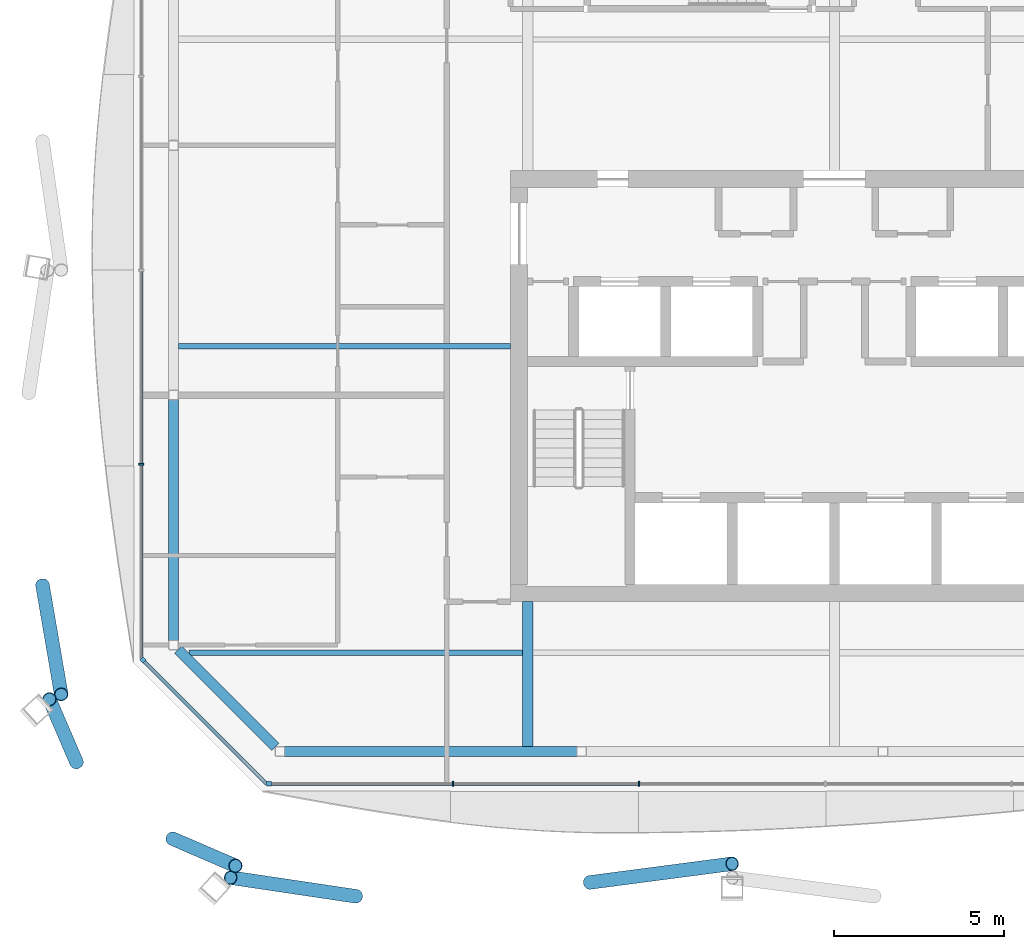
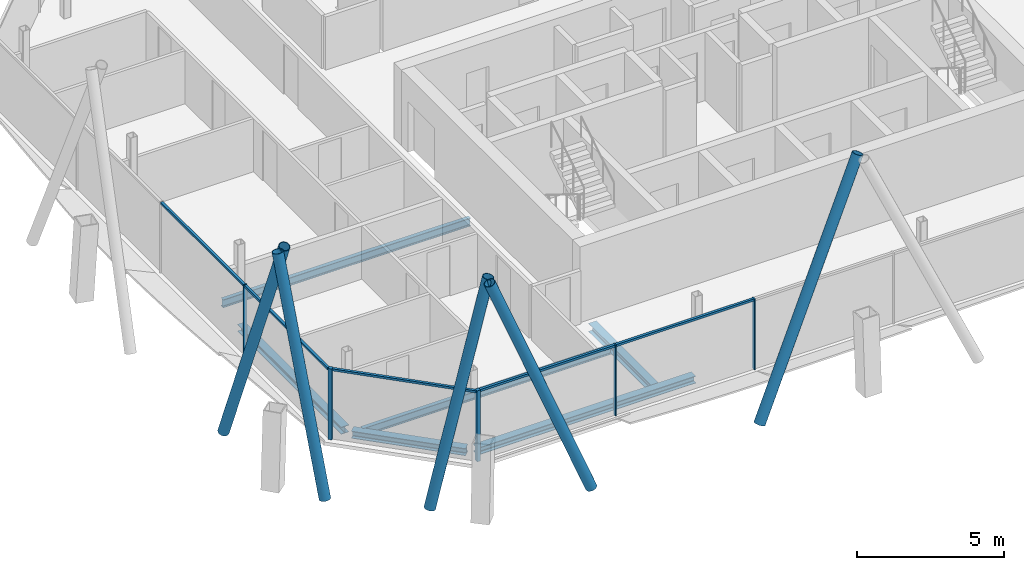
# One storey, part 3 of 16: 15 members, 6 beams, 3 elements without a shape of their own.
"""IFC4 building model written with IfcOpenShell, lengths in metres."""

from ifc_helpers import new_model, si_unit, direction, frame, origin, origin_2d, place, context, subcontext, project, spatial, rectangle, hollow_circle, i_section, extrude, material, material_profile, profile_set, type_object, element, aggregate, save


model = new_model("IFC4")

# Units and contexts
model_context = context("Model", 3, precision=1e-05, world=origin(), true_north=direction((0.0, 1.0)))
body_context = subcontext(model_context, "Body", "Model", "MODEL_VIEW")
ifc_project = project(units=[si_unit("LENGTHUNIT", "METRE"), si_unit("AREAUNIT", "SQUARE_METRE"), si_unit("VOLUMEUNIT", "CUBIC_METRE"), si_unit("PLANEANGLEUNIT", "RADIAN"), si_unit("MASSUNIT", "GRAM", prefix="KILO")], contexts=[model_context])

# Site, building, storey
site_placement = place(None, origin())
site = spatial("IfcSite", under=ifc_project, at=site_placement, CompositionType="ELEMENT")
building_placement = place(site_placement, origin())
building = spatial("IfcBuilding", under=site, at=building_placement, Name="Tskaro Facet Tower", CompositionType="ELEMENT")
storey_placement = place(building_placement, frame((0.0, 0.0, 245.550048828125)))
storey = spatial("IfcBuildingStorey", under=building, at=storey_placement, Name="L64", CompositionType="ELEMENT", Elevation=245.550048828125)

# Members
ifc_material_1 = material(Name="Steel S355J2H", Category="steel")
ifc_material_profile_1 = material_profile(ifc_material_1, hollow_circle(Radius=0.203125, WallThickness=0.02001953125, at=origin_2d()), Name="CHS 406.4x20")
ifc_profile_set_1 = profile_set([ifc_material_profile_1], Name="Steel S355J2H")
member_type_1 = type_object("IfcMemberType", Name="CHS 406.4x20 brace", PredefinedType="BRACE", material=ifc_profile_set_1)
member_1_placement = place(storey_placement, frame((-7.179931640625, -20.23779296875, 0.0), z_axis=(0.403949934289, 0.052968144529, 0.913246311929), x_axis=(-0.130012570292, 0.991512345645, 0.0)))
element("IfcMember", 1, at=member_1_placement, inside=storey, type_object=member_type_1, Name="CHS 406.4x20 XB01A/5", PredefinedType="BRACE", context=body_context, shape_type="SweptSolid", body=[
    extrude(hollow_circle(Radius=0.203125, WallThickness=0.02001953125, at=origin_2d()), origin(), (0.0, 0.0, 1.0), 10.34765625),
])
member_2_placement = place(storey_placement, frame((-14.039306640625, -20.644287109375, 0.0), z_axis=(-0.362320562479, 0.053968263188, 0.930489783165), x_axis=(-0.14732632863, -0.989087939919, 0.0)))
element("IfcMember", 2, at=member_2_placement, inside=storey, type_object=member_type_1, Name="CHS 406.4x20 XB01B/5", PredefinedType="BRACE", context=body_context, shape_type="SweptSolid", body=[
    extrude(hollow_circle(Radius=0.203125, WallThickness=0.02001953125, at=origin_2d()), origin(), (0.0, 0.0, 1.0), 10.156005859375),
])
member_3_placement = place(storey_placement, frame((-23.23779296875, -11.517578125, 0.0), z_axis=(0.054850435244, -0.320380292811, 0.945699686863), x_axis=(0.985659069558, 0.168748921769, 0.0)))
element("IfcMember", 3, at=member_3_placement, inside=storey, type_object=member_type_1, Name="CHS 406.4x20 XB11A/5", PredefinedType="BRACE", context=body_context, shape_type="SweptSolid", body=[
    extrude(hollow_circle(Radius=0.203125, WallThickness=0.02001953125, at=origin_2d()), origin(), (0.0, 0.0, 1.0), 9.992431640625),
])
for number, where, z_axis, x_axis, name in (
    (4, (-19.416748046875, -18.9560546875, 0.0), (0.190630309966, -0.082110284645, 0.978221849111), (0.395593875479, 0.918425547164, 0.0), "CHS 406.4x20 XB12A/5"),
    (5, (-22.243408203125, -16.7041015625, 0.0), (-0.082110680205, 0.19060595571, 0.978226561612), (-0.918406489406, -0.395638117751, 0.0), "CHS 406.4x20 XB12B/5"),
):
    element("IfcMember", number, at=place(storey_placement, frame(where, z_axis=z_axis, x_axis=x_axis)), inside=storey, type_object=member_type_1, Name=name, PredefinedType="BRACE", context=body_context, shape_type="SweptSolid", body=[
        extrude(hollow_circle(Radius=0.203125, WallThickness=0.02001953125, at=origin_2d()), origin(), (0.0, 0.0, 1.0), 9.660400390625),
    ])

# Curtain wall, member
ifc_material_2 = material(Name="Bronze anodised aluminium 6063-T6", Category="aluminium")
curtain_wall_type = type_object("IfcCurtainWallType", Name="Bronze residence curtain wall (FW3)", PredefinedType="NOTDEFINED", material=ifc_material_2)
curtain_wall_1_placement = place(storey_placement, origin())
curtain_wall_1 = element("IfcCurtainWall", 6, at=curtain_wall_1_placement, inside=storey, type_object=curtain_wall_type, Name="FW3 south facet L64", PredefinedType="NOTDEFINED")
ifc_material_profile_2 = material_profile(ifc_material_2, rectangle(XDim=0.139892578125, YDim=0.139892578125, at=origin_2d()), Name="Corner post 140x140")
ifc_profile_set_2 = profile_set([ifc_material_profile_2], Name="Bronze anodised aluminium 6063-T6")
member_type_2 = type_object("IfcMemberType", Name="FW3 bronze corner post 140x140", PredefinedType="MULLION", material=ifc_profile_set_2)
member_4_placement = place(storey_placement, frame((-16.591064453125, -17.341064453125, 0.0), z_axis=(0.0, 0.0, 1.0), x_axis=(1.0, 0.0, 0.0)))
member_4 = element("IfcMember", 7, at=member_4_placement, type_object=member_type_2, Name="FW3 south corner post", PredefinedType="MULLION", context=body_context, shape_type="SweptSolid", body=[
    extrude(rectangle(XDim=0.139892578125, YDim=0.139892578125, at=origin_2d()), origin(), (0.0, 0.0, 1.0), 2.949951171875),
])

curtain_wall_2_placement = place(storey_placement, origin())
curtain_wall_2 = element("IfcCurtainWall", 8, at=curtain_wall_2_placement, inside=storey, type_object=curtain_wall_type, Name="FW3 south-west facet L64", PredefinedType="NOTDEFINED")
member_5_placement = place(storey_placement, frame((-20.29150390625, -13.71044921875, 0.0), z_axis=(0.0, 0.0, 1.0), x_axis=(0.707106781187, -0.707106781187, 0.0)))
member_5 = element("IfcMember", 9, at=member_5_placement, type_object=member_type_2, Name="FW3 south-west corner post", PredefinedType="MULLION", context=body_context, shape_type="SweptSolid", body=[
    extrude(rectangle(XDim=0.139892578125, YDim=0.139892578125, at=origin_2d()), origin(), (0.0, 0.0, 1.0), 2.949951171875),
])

# Member
ifc_material_profile_3 = material_profile(ifc_material_2, rectangle(XDim=0.050048828125, YDim=0.139892578125, at=origin_2d()), Name="Mullion 50x140")
ifc_profile_set_3 = profile_set([ifc_material_profile_3], Name="Bronze anodised aluminium 6063-T6")
member_type_3 = type_object("IfcMemberType", Name="FW3 bronze mullion 50x140", PredefinedType="MULLION", material=ifc_profile_set_3)
member_6_placement = place(storey_placement, frame((-11.196533203125, -17.341064453125, 0.0), z_axis=(0.0, 0.0, 1.0), x_axis=(1.0, 0.0, 0.0)))
member_6 = element("IfcMember", 10, at=member_6_placement, type_object=member_type_3, Name="FW3 south mullion 1", PredefinedType="MULLION", context=body_context, shape_type="SweptSolid", body=[
    extrude(rectangle(XDim=0.050048828125, YDim=0.139892578125, at=origin_2d()), origin(), (0.0, 0.0, 1.0), 2.949951171875),
])

member_7_placement = place(storey_placement, frame((-5.732177734375, -17.341064453125, 0.0), z_axis=(0.0, 0.0, 1.0), x_axis=(1.0, 0.0, 0.0)))
member_7 = element("IfcMember", 11, at=member_7_placement, type_object=member_type_3, Name="FW3 south mullion 2", PredefinedType="MULLION", context=body_context, shape_type="SweptSolid", body=[
    extrude(rectangle(XDim=0.050048828125, YDim=0.139892578125, at=origin_2d()), origin(), (0.0, 0.0, 1.0), 2.949951171875),
])

# Curtain wall, member
curtain_wall_3_placement = place(storey_placement, origin())
curtain_wall_3 = element("IfcCurtainWall", 12, at=curtain_wall_3_placement, inside=storey, type_object=curtain_wall_type, Name="FW3 west facet L64", PredefinedType="NOTDEFINED")
member_8_placement = place(storey_placement, frame((-20.341064453125, -7.96630859375, 0.0), z_axis=(0.0, 0.0, 1.0), x_axis=(0.0, -1.0, 0.0)))
member_8 = element("IfcMember", 13, at=member_8_placement, type_object=member_type_3, Name="FW3 west mullion 3", PredefinedType="MULLION", context=body_context, shape_type="SweptSolid", body=[
    extrude(rectangle(XDim=0.050048828125, YDim=0.139892578125, at=origin_2d()), origin(), (0.0, 0.0, 1.0), 2.949951171875),
])

# Member
ifc_material_profile_4 = material_profile(ifc_material_2, rectangle(XDim=0.10009765625, YDim=0.090087890625, at=origin_2d()), Name="Transom 100x90")
ifc_profile_set_4 = profile_set([ifc_material_profile_4], Name="Bronze anodised aluminium 6063-T6")
member_type_4 = type_object("IfcMemberType", Name="FW3 bronze transom 100x90", PredefinedType="USERDEFINED", material=ifc_profile_set_4)
member_9_placement = place(storey_placement, frame((-16.52099609375, -17.341064453125, 2.905029296875), z_axis=(1.0, 0.0, 0.0), x_axis=(0.0, 1.0, 0.0)))
member_9 = element("IfcMember", 14, at=member_9_placement, type_object=member_type_4, Name="FW3 south transom 1.1", ObjectType="TRANSOM", PredefinedType="USERDEFINED", context=body_context, shape_type="SweptSolid", body=[
    extrude(rectangle(XDim=0.10009765625, YDim=0.090087890625, at=origin_2d()), origin(), (0.0, 0.0, 1.0), 5.29931640625),
])

member_10_placement = place(storey_placement, frame((-11.171630859375, -17.341064453125, 2.905029296875), z_axis=(1.0, 0.0, 0.0), x_axis=(0.0, 1.0, 0.0)))
member_10 = element("IfcMember", 15, at=member_10_placement, type_object=member_type_4, Name="FW3 south transom 2.1", ObjectType="TRANSOM", PredefinedType="USERDEFINED", context=body_context, shape_type="SweptSolid", body=[
    extrude(rectangle(XDim=0.10009765625, YDim=0.090087890625, at=origin_2d()), origin(), (0.0, 0.0, 1.0), 5.41455078125),
])

aggregate(curtain_wall_1, [member_4, member_6, member_7, member_9, member_10])

member_11_placement = place(storey_placement, frame((-20.341064453125, -2.29638671875, 2.905029296875), z_axis=(0.0, -1.0, 0.0), x_axis=(1.0, 0.0, 0.0)))
member_11 = element("IfcMember", 16, at=member_11_placement, type_object=member_type_4, Name="FW3 west transom 3.1", ObjectType="TRANSOM", PredefinedType="USERDEFINED", context=body_context, shape_type="SweptSolid", body=[
    extrude(rectangle(XDim=0.10009765625, YDim=0.090087890625, at=origin_2d()), origin(), (0.0, 0.0, 1.0), 5.644775390625),
])

member_12_placement = place(storey_placement, frame((-20.341064453125, -7.9912109375, 2.905029296875), z_axis=(0.0, -1.0, 0.0), x_axis=(1.0, 0.0, 0.0)))
member_12 = element("IfcMember", 17, at=member_12_placement, type_object=member_type_4, Name="FW3 west transom 4.1", ObjectType="TRANSOM", PredefinedType="USERDEFINED", context=body_context, shape_type="SweptSolid", body=[
    extrude(rectangle(XDim=0.10009765625, YDim=0.090087890625, at=origin_2d()), origin(), (0.0, 0.0, 1.0), 5.669677734375),
])

aggregate(curtain_wall_3, [member_8, member_11, member_12])

member_13_placement = place(storey_placement, frame((-20.241943359375, -13.760009765625, 2.905029296875), z_axis=(0.707106781187, -0.707106781187, 0.0), x_axis=(0.707106781187, 0.707106781187, 0.0)))
member_13 = element("IfcMember", 18, at=member_13_placement, type_object=member_type_4, Name="FW3 south-west transom 1.1", ObjectType="TRANSOM", PredefinedType="USERDEFINED", context=body_context, shape_type="SweptSolid", body=[
    extrude(rectangle(XDim=0.10009765625, YDim=0.090087890625, at=origin_2d()), origin(), (0.0, 0.0, 1.0), 5.064453125),
])

aggregate(curtain_wall_2, [member_5, member_13])

# Beams
ifc_material_3 = material(Name="Steel S355J2", Category="steel")
ifc_material_profile_5 = material_profile(ifc_material_3, i_section(OverallWidth=0.300048828125, OverallDepth=0.300048828125, WebThickness=0.010986328125, FlangeThickness=0.01904296875, FilletRadius=0.027099609375, at=origin_2d()), Name="HE 300 B")
ifc_profile_set_5 = profile_set([ifc_material_profile_5], Name="Steel S355J2")
beam_type_1 = type_object("IfcBeamType", Name="HE 300 B ring beam", PredefinedType="BEAM", material=ifc_profile_set_5)
beam_1_placement = place(storey_placement, frame((-16.137939453125, -16.39111328125, -0.2900390625), z_axis=(1.0, 0.0, 0.0), x_axis=(0.0, 1.0, 0.0)))
element("IfcBeam", 19, at=beam_1_placement, inside=storey, type_object=beam_type_1, Name="HE 300 B EB1-5", PredefinedType="BEAM", context=body_context, shape_type="SweptSolid", body=[
    extrude(i_section(OverallWidth=0.300048828125, OverallDepth=0.300048828125, WebThickness=0.010986328125, FlangeThickness=0.01904296875, FilletRadius=0.027099609375, at=origin_2d()), origin(), (0.0, 0.0, 1.0), 8.5849609375),
])
beam_2_placement = place(storey_placement, frame((-19.39111328125, -6.06689453125, -0.2900390625), z_axis=(0.0, -1.0, 0.0), x_axis=(1.0, 0.0, 0.0)))
element("IfcBeam", 20, at=beam_2_placement, inside=storey, type_object=beam_type_1, Name="HE 300 B EB16-5", PredefinedType="BEAM", context=body_context, shape_type="SweptSolid", body=[
    extrude(i_section(OverallWidth=0.300048828125, OverallDepth=0.300048828125, WebThickness=0.010986328125, FlangeThickness=0.01904296875, FilletRadius=0.027099609375, at=origin_2d()), origin(), (0.0, 0.0, 1.0), 7.071044921875),
])
beam_3_placement = place(storey_placement, frame((-19.255126953125, -13.40380859375, -0.2900390625), z_axis=(0.707106781187, -0.707106781187, 0.0), x_axis=(0.707106781187, 0.707106781187, 0.0)))
element("IfcBeam", 21, at=beam_3_placement, inside=storey, type_object=beam_type_1, Name="HE 300 B EB17-5", PredefinedType="BEAM", context=body_context, shape_type="SweptSolid", body=[
    extrude(i_section(OverallWidth=0.300048828125, OverallDepth=0.300048828125, WebThickness=0.010986328125, FlangeThickness=0.01904296875, FilletRadius=0.027099609375, at=origin_2d()), origin(), (0.0, 0.0, 1.0), 4.032470703125),
])
ifc_material_profile_6 = material_profile(ifc_material_3, i_section(OverallWidth=0.300048828125, OverallDepth=0.35009765625, WebThickness=0.010009765625, FlangeThickness=0.017578125, FilletRadius=0.027099609375, at=origin_2d()), Name="HE 360 A")
ifc_profile_set_6 = profile_set([ifc_material_profile_6], Name="Steel S355J2")
beam_type_2 = type_object("IfcBeamType", Name="HE 360 A girder", PredefinedType="BEAM", material=ifc_profile_set_6)
beam_4_placement = place(storey_placement, frame((-9.0, -16.240966796875, -0.31494140625), z_axis=(0.0, 1.0, 0.0), x_axis=(-1.0, 0.0, 0.0)))
element("IfcBeam", 22, at=beam_4_placement, inside=storey, type_object=beam_type_2, Name="HE 360 A GB3-1-5", PredefinedType="BEAM", context=body_context, shape_type="SweptSolid", body=[
    extrude(i_section(OverallWidth=0.300048828125, OverallDepth=0.35009765625, WebThickness=0.010009765625, FlangeThickness=0.017578125, FilletRadius=0.027099609375, at=origin_2d()), origin(), (0.0, 0.0, 1.0), 4.240966796875),
])
ifc_material_profile_7 = material_profile(ifc_material_3, i_section(OverallWidth=0.159912109375, OverallDepth=0.330078125, WebThickness=0.007568359375, FlangeThickness=0.011474609375, FilletRadius=0.01806640625, at=origin_2d()), Name="IPE 330")
ifc_profile_set_7 = profile_set([ifc_material_profile_7], Name="Steel S355J2")
beam_type_3 = type_object("IfcBeamType", Name="IPE 330 secondary beam", PredefinedType="BEAM", material=ifc_profile_set_7)
beam_5_placement = place(storey_placement, frame((-18.947021484375, -13.5, -0.304931640625), z_axis=(1.0, 0.0, 0.0), x_axis=(0.0, 1.0, 0.0)))
element("IfcBeam", 23, at=beam_5_placement, inside=storey, type_object=beam_type_3, Name="IPE 330 SB2a-1-5", PredefinedType="BEAM", context=body_context, shape_type="SweptSolid", body=[
    extrude(i_section(OverallWidth=0.159912109375, OverallDepth=0.330078125, WebThickness=0.007568359375, FlangeThickness=0.011474609375, FilletRadius=0.01806640625, at=origin_2d()), origin(), (0.0, 0.0, 1.0), 9.797119140625),
])
beam_6_placement = place(storey_placement, frame((-19.240966796875, -4.5, -0.304931640625), z_axis=(1.0, 0.0, 0.0), x_axis=(0.0, 1.0, 0.0)))
element("IfcBeam", 24, at=beam_6_placement, inside=storey, type_object=beam_type_3, Name="IPE 330 SB3a-1-5", PredefinedType="BEAM", context=body_context, shape_type="SweptSolid", body=[
    extrude(i_section(OverallWidth=0.159912109375, OverallDepth=0.330078125, WebThickness=0.007568359375, FlangeThickness=0.011474609375, FilletRadius=0.01806640625, at=origin_2d()), origin(), (0.0, 0.0, 1.0), 9.740966796875),
])

save(model, "model.ifc")
